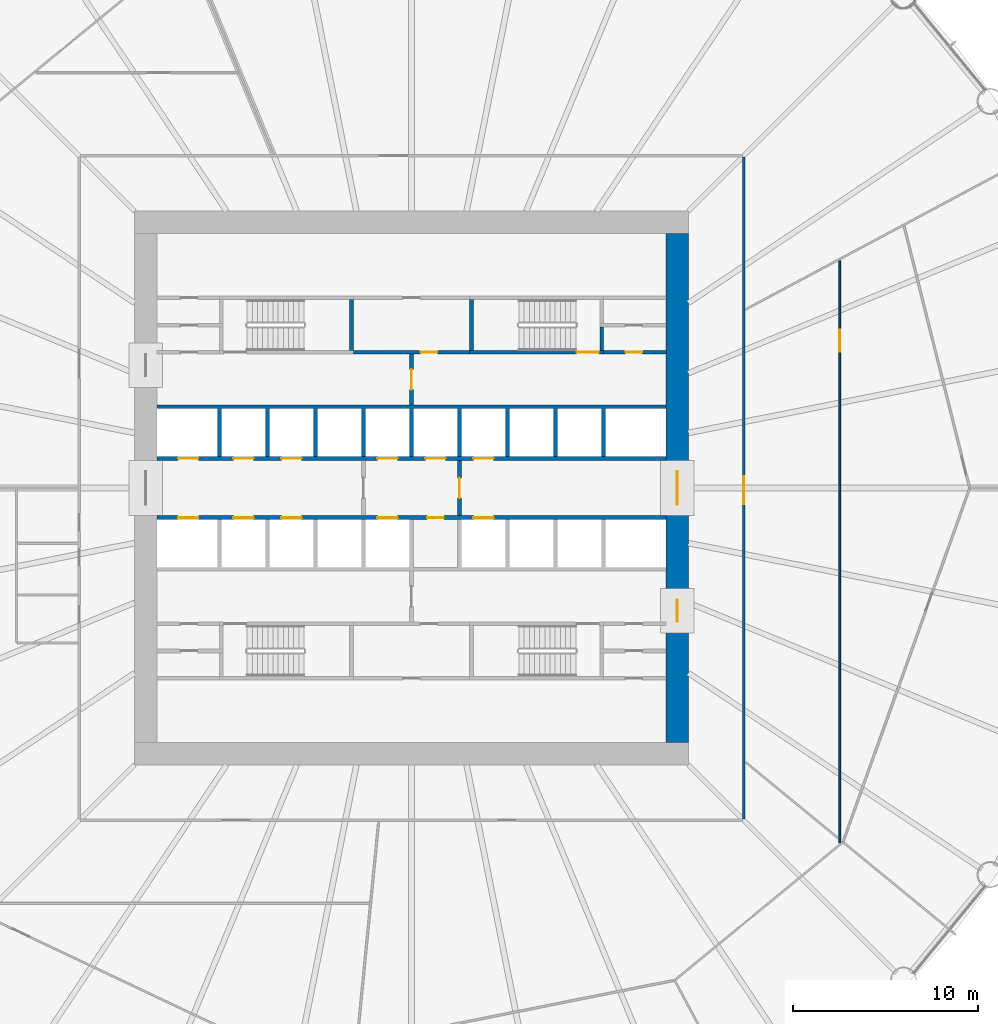
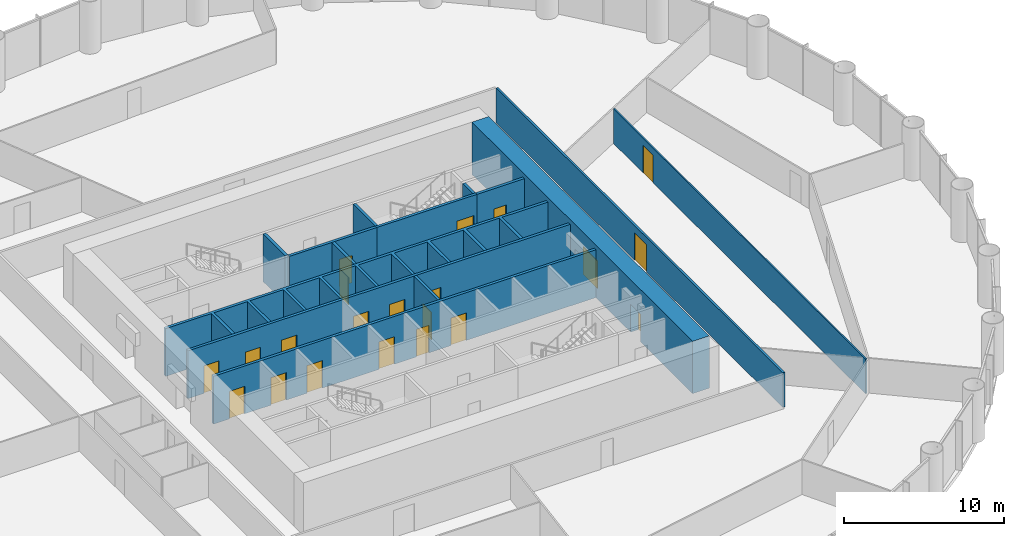
# One storey, part 12 of 14: 21 doors, 14 walls, 21 openings.
"""IFC4 building model written with IfcOpenShell, lengths in metres."""

from ifc_helpers import new_model, si_unit, direction, frame, frame_2d, origin, place, context, subcontext, project, spatial, polyline, rectangle, outline, extrude, material, layer, layer_set, type_object, element, fill, save


model = new_model("IFC4")

# Units and contexts
model_context = context("Model", 3, precision=1e-05, world=origin(), true_north=direction((0.0, 1.0)))
body_context = subcontext(model_context, "Body", "Model", "MODEL_VIEW")
ifc_project = project(units=[si_unit("LENGTHUNIT", "METRE"), si_unit("AREAUNIT", "SQUARE_METRE"), si_unit("VOLUMEUNIT", "CUBIC_METRE"), si_unit("PLANEANGLEUNIT", "RADIAN"), si_unit("MASSUNIT", "GRAM", prefix="KILO")], contexts=[model_context])

# Site, building, storey
site_placement = place(None, origin())
site = spatial("IfcSite", under=ifc_project, at=site_placement, CompositionType="ELEMENT")
building_placement = place(site_placement, origin())
building = spatial("IfcBuilding", under=site, at=building_placement, Name="Corvane Civic Tower", CompositionType="ELEMENT")
storey_placement = place(building_placement, frame((0.0, 0.0, 81.0)))
storey = spatial("IfcBuildingStorey", under=building, at=storey_placement, Name="L18", CompositionType="ELEMENT", Elevation=81.0)

# Wall, openings, doors
ifc_material_1 = material(Name="Concrete C80/95", Category="concrete")
ifc_layer_1 = layer(ifc_material_1, 1.199951171875)
ifc_layer_set_1 = layer_set([ifc_layer_1], Name="Concrete C80/95")
wall_type_1 = type_object("IfcWallType", Name="CORE WALL 1200 C80/95", PredefinedType="SHEAR", material=ifc_layer_set_1)
wall_1_placement = place(storey_placement, frame((14.39990234375, -13.800048828125, 0.0), z_axis=(0.0, 0.0, 1.0), x_axis=(0.0, 1.0, 0.0)))
wall_1 = element("IfcWall", 1, at=wall_1_placement, inside=storey, type_object=wall_type_1, Name="W-L18-core-E", PredefinedType="SHEAR", context=body_context, shape_type="SweptSolid", body=[
    extrude(rectangle(XDim=27.60009765625, YDim=1.199951171875, at=frame_2d((13.800048828125, 0.0))), origin(), (0.0, 0.0, 1.0), 4.0),
])
opening_1_placement = place(wall_1_placement, frame((12.89990234375, 0.0, 0.0)))
opening_1 = element("IfcOpeningElement", 2, at=opening_1_placement, cuts=wall_1, Name="Opening L18.C25", PredefinedType="OPENING", context=body_context, shape_type="SweptSolid", body=[
    extrude(rectangle(XDim=1.800048828125, YDim=2.10009765625, at=frame_2d((0.89990234375, 1.050048828125))), frame((0.0, 0.60986328125, 0.0), z_axis=(0.0, -1.0, 0.0), x_axis=(1.0, 0.0, 0.0)), (0.0, 0.0, 1.0), 1.219970703125),
])
opening_2_placement = place(wall_1_placement, frame((6.550048828125, 0.0, 0.0)))
opening_2 = element("IfcOpeningElement", 3, at=opening_2_placement, cuts=wall_1, Name="Opening L18.C27", PredefinedType="OPENING", context=body_context, shape_type="SweptSolid", body=[
    extrude(rectangle(XDim=1.199951171875, YDim=2.10009765625, at=frame_2d((0.60009765625, 1.050048828125))), frame((0.0, 0.60986328125, 0.0), z_axis=(0.0, -1.0, 0.0), x_axis=(1.0, 0.0, 0.0)), (0.0, 0.0, 1.0), 1.219970703125),
])
ifc_material_2 = material(Name="Steel fire door leaf", Category="steel")
door_type_1 = type_object("IfcDoorType", Name="CR-DOOR-CORE-1800", OperationType="DOUBLE_DOOR_SINGLE_SWING", PredefinedType="DOOR", material=ifc_material_2)
door_1_placement = place(opening_1_placement, origin())
door_1 = element("IfcDoor", 4, at=door_1_placement, inside=storey, type_object=door_type_1, Name="L18 door", OperationType="DOUBLE_DOOR_SINGLE_SWING", OverallHeight=2.10009765625, OverallWidth=1.800048828125, PredefinedType="DOOR", context=body_context, shape_type="SweptSolid", body=[
    extrude(rectangle(XDim=1.800048828125, YDim=2.10009765625, at=frame_2d((0.89990234375, 1.050048828125))), frame((0.0, 0.02490234375, 0.0), z_axis=(0.0, -1.0, 0.0), x_axis=(1.0, 0.0, 0.0)), (0.0, 0.0, 1.0), 0.050048828125),
])
fill(opening_1, door_1)
door_2_placement = place(opening_2_placement, origin())
door_2 = element("IfcDoor", 5, at=door_2_placement, inside=storey, type_object=door_type_1, Name="L18 door", OperationType="DOUBLE_DOOR_SINGLE_SWING", OverallHeight=2.10009765625, OverallWidth=1.199951171875, PredefinedType="DOOR", context=body_context, shape_type="SweptSolid", body=[
    extrude(rectangle(XDim=1.199951171875, YDim=2.10009765625, at=frame_2d((0.60009765625, 1.050048828125))), frame((0.0, 0.02490234375, 0.0), z_axis=(0.0, -1.0, 0.0), x_axis=(1.0, 0.0, 0.0)), (0.0, 0.0, 1.0), 0.050048828125),
])
fill(opening_2, door_2)

ifc_material_3 = material(Name="Concrete C30/37", Category="concrete")
ifc_layer_2 = layer(ifc_material_3, 0.199951171875)
ifc_layer_set_2 = layer_set([ifc_layer_2], Name="Concrete C30/37")
wall_type_2 = type_object("IfcWallType", Name="CR-WALL-200", PredefinedType="PARTITIONING", material=ifc_layer_set_2)
wall_2_placement = place(storey_placement, frame((-13.800048828125, -1.60009765625, 0.0), z_axis=(0.0, 0.0, 1.0), x_axis=(1.0, 0.0, 0.0)))
wall_2 = element("IfcWall", 6, at=wall_2_placement, inside=storey, type_object=wall_type_2, Name="L18 lift shaft wall", PredefinedType="PARTITIONING", context=body_context, shape_type="SweptSolid", body=[
    extrude(rectangle(XDim=27.60009765625, YDim=0.199951171875, at=frame_2d((13.800048828125, 0.0))), origin(), (0.0, 0.0, 1.0), 3.64990234375),
])
opening_3_placement = place(wall_2_placement, frame((1.14990234375, 0.0, 0.0)))
opening_3 = element("IfcOpeningElement", 7, at=opening_3_placement, cuts=wall_2, Name="Opening LD", PredefinedType="OPENING", context=body_context, shape_type="SweptSolid", body=[
    extrude(rectangle(XDim=1.10009765625, YDim=2.10009765625, at=frame_2d((0.550048828125, 1.050048828125))), frame((0.0, 0.10986328125, 0.0), z_axis=(0.0, -1.0, 0.0), x_axis=(1.0, 0.0, 0.0)), (0.0, 0.0, 1.0), 0.219970703125),
])
opening_4_placement = place(wall_2_placement, frame((4.14990234375, 0.0, 0.0)))
opening_4 = element("IfcOpeningElement", 8, at=opening_4_placement, cuts=wall_2, Name="Opening LD", PredefinedType="OPENING", context=body_context, shape_type="SweptSolid", body=[
    extrude(rectangle(XDim=1.10009765625, YDim=2.10009765625, at=frame_2d((0.550048828125, 1.050048828125))), frame((0.0, 0.10986328125, 0.0), z_axis=(0.0, -1.0, 0.0), x_axis=(1.0, 0.0, 0.0)), (0.0, 0.0, 1.0), 0.219970703125),
])
opening_5_placement = place(wall_2_placement, frame((6.75, 0.0, 0.0)))
opening_5 = element("IfcOpeningElement", 9, at=opening_5_placement, cuts=wall_2, Name="Opening LD", PredefinedType="OPENING", context=body_context, shape_type="SweptSolid", body=[
    extrude(rectangle(XDim=1.10009765625, YDim=2.10009765625, at=frame_2d((0.550048828125, 1.050048828125))), frame((0.0, 0.10986328125, 0.0), z_axis=(0.0, -1.0, 0.0), x_axis=(1.0, 0.0, 0.0)), (0.0, 0.0, 1.0), 0.219970703125),
])
opening_6_placement = place(wall_2_placement, frame((11.949951171875, 0.0, 0.0)))
opening_6 = element("IfcOpeningElement", 10, at=opening_6_placement, cuts=wall_2, Name="Opening LD", PredefinedType="OPENING", context=body_context, shape_type="SweptSolid", body=[
    extrude(rectangle(XDim=1.10009765625, YDim=2.10009765625, at=frame_2d((0.550048828125, 1.050048828125))), frame((0.0, 0.10986328125, 0.0), z_axis=(0.0, -1.0, 0.0), x_axis=(1.0, 0.0, 0.0)), (0.0, 0.0, 1.0), 0.219970703125),
])
opening_7_placement = place(wall_2_placement, frame((14.64990234375, 0.0, 0.0)))
opening_7 = element("IfcOpeningElement", 11, at=opening_7_placement, cuts=wall_2, Name="Opening L18.C01", PredefinedType="OPENING", context=body_context, shape_type="SweptSolid", body=[
    extrude(rectangle(XDim=0.89990234375, YDim=2.10009765625, at=frame_2d((0.449951171875, 1.050048828125))), frame((0.0, 0.10986328125, 0.0), z_axis=(0.0, -1.0, 0.0), x_axis=(1.0, 0.0, 0.0)), (0.0, 0.0, 1.0), 0.219970703125),
])
opening_8_placement = place(wall_2_placement, frame((17.14990234375, 0.0, 0.0)))
opening_8 = element("IfcOpeningElement", 12, at=opening_8_placement, cuts=wall_2, Name="Opening LD", PredefinedType="OPENING", context=body_context, shape_type="SweptSolid", body=[
    extrude(rectangle(XDim=1.10009765625, YDim=2.10009765625, at=frame_2d((0.550048828125, 1.050048828125))), frame((0.0, 0.10986328125, 0.0), z_axis=(0.0, -1.0, 0.0), x_axis=(1.0, 0.0, 0.0)), (0.0, 0.0, 1.0), 0.219970703125),
])
ifc_material_4 = material(Name="Steel fire door leaf", Category="steel")
door_type_2 = type_object("IfcDoorType", Name="CR-DOOR-900", OperationType="SINGLE_SWING_LEFT", PredefinedType="DOOR", material=ifc_material_4)
door_3_placement = place(opening_7_placement, origin())
door_3 = element("IfcDoor", 13, at=door_3_placement, inside=storey, type_object=door_type_2, Name="L18 door", OperationType="SINGLE_SWING_LEFT", OverallHeight=2.10009765625, OverallWidth=0.89990234375, PredefinedType="DOOR", context=body_context, shape_type="SweptSolid", body=[
    extrude(rectangle(XDim=0.89990234375, YDim=2.10009765625, at=frame_2d((0.449951171875, 1.050048828125))), frame((0.0, 0.02490234375, 0.0), z_axis=(0.0, -1.0, 0.0), x_axis=(1.0, 0.0, 0.0)), (0.0, 0.0, 1.0), 0.050048828125),
])
fill(opening_7, door_3)
ifc_material_5 = material(Name="Stainless steel 316 door leaves", Category="steel")
door_type_3 = type_object("IfcDoorType", Name="LD", OperationType="DOUBLE_DOOR_SLIDING", PredefinedType="DOOR", material=ifc_material_5)
door_4_placement = place(opening_3_placement, origin())
door_4 = element("IfcDoor", 14, at=door_4_placement, inside=storey, type_object=door_type_3, Name="L18 landing door", OperationType="DOUBLE_DOOR_SLIDING", OverallHeight=2.10009765625, OverallWidth=1.10009765625, PredefinedType="DOOR", context=body_context, shape_type="SweptSolid", body=[
    extrude(rectangle(XDim=1.10009765625, YDim=2.10009765625, at=frame_2d((0.550048828125, 1.050048828125))), frame((0.0, 0.02490234375, 0.0), z_axis=(0.0, -1.0, 0.0), x_axis=(1.0, 0.0, 0.0)), (0.0, 0.0, 1.0), 0.050048828125),
])
fill(opening_3, door_4)
door_5_placement = place(opening_4_placement, origin())
door_5 = element("IfcDoor", 15, at=door_5_placement, inside=storey, type_object=door_type_3, Name="L18 landing door", OperationType="DOUBLE_DOOR_SLIDING", OverallHeight=2.10009765625, OverallWidth=1.10009765625, PredefinedType="DOOR", context=body_context, shape_type="SweptSolid", body=[
    extrude(rectangle(XDim=1.10009765625, YDim=2.10009765625, at=frame_2d((0.550048828125, 1.050048828125))), frame((0.0, 0.02490234375, 0.0), z_axis=(0.0, -1.0, 0.0), x_axis=(1.0, 0.0, 0.0)), (0.0, 0.0, 1.0), 0.050048828125),
])
fill(opening_4, door_5)
door_6_placement = place(opening_5_placement, origin())
door_6 = element("IfcDoor", 16, at=door_6_placement, inside=storey, type_object=door_type_3, Name="L18 landing door", OperationType="DOUBLE_DOOR_SLIDING", OverallHeight=2.10009765625, OverallWidth=1.10009765625, PredefinedType="DOOR", context=body_context, shape_type="SweptSolid", body=[
    extrude(rectangle(XDim=1.10009765625, YDim=2.10009765625, at=frame_2d((0.550048828125, 1.050048828125))), frame((0.0, 0.02490234375, 0.0), z_axis=(0.0, -1.0, 0.0), x_axis=(1.0, 0.0, 0.0)), (0.0, 0.0, 1.0), 0.050048828125),
])
fill(opening_5, door_6)
door_7_placement = place(opening_6_placement, origin())
door_7 = element("IfcDoor", 17, at=door_7_placement, inside=storey, type_object=door_type_3, Name="L18 landing door", OperationType="DOUBLE_DOOR_SLIDING", OverallHeight=2.10009765625, OverallWidth=1.10009765625, PredefinedType="DOOR", context=body_context, shape_type="SweptSolid", body=[
    extrude(rectangle(XDim=1.10009765625, YDim=2.10009765625, at=frame_2d((0.550048828125, 1.050048828125))), frame((0.0, 0.02490234375, 0.0), z_axis=(0.0, -1.0, 0.0), x_axis=(1.0, 0.0, 0.0)), (0.0, 0.0, 1.0), 0.050048828125),
])
fill(opening_6, door_7)
door_8_placement = place(opening_8_placement, origin())
door_8 = element("IfcDoor", 18, at=door_8_placement, inside=storey, type_object=door_type_3, Name="L18 landing door", OperationType="DOUBLE_DOOR_SLIDING", OverallHeight=2.10009765625, OverallWidth=1.10009765625, PredefinedType="DOOR", context=body_context, shape_type="SweptSolid", body=[
    extrude(rectangle(XDim=1.10009765625, YDim=2.10009765625, at=frame_2d((0.550048828125, 1.050048828125))), frame((0.0, 0.02490234375, 0.0), z_axis=(0.0, -1.0, 0.0), x_axis=(1.0, 0.0, 0.0)), (0.0, 0.0, 1.0), 0.050048828125),
])
fill(opening_8, door_8)

wall_3_placement = place(storey_placement, frame((-13.800048828125, 1.60009765625, 0.0), z_axis=(0.0, 0.0, 1.0), x_axis=(1.0, 0.0, 0.0)))
wall_3 = element("IfcWall", 19, at=wall_3_placement, inside=storey, type_object=wall_type_2, Name="L18 lift shaft wall", PredefinedType="PARTITIONING", context=body_context, shape_type="SweptSolid", body=[
    extrude(rectangle(XDim=27.60009765625, YDim=0.199951171875, at=frame_2d((13.800048828125, 0.0))), origin(), (0.0, 0.0, 1.0), 3.64990234375),
])
opening_9_placement = place(wall_3_placement, frame((1.14990234375, 0.0, 0.0)))
opening_9 = element("IfcOpeningElement", 20, at=opening_9_placement, cuts=wall_3, Name="Opening LD", PredefinedType="OPENING", context=body_context, shape_type="SweptSolid", body=[
    extrude(rectangle(XDim=1.10009765625, YDim=2.10009765625, at=frame_2d((0.550048828125, 1.050048828125))), frame((0.0, 0.10986328125, 0.0), z_axis=(0.0, -1.0, 0.0), x_axis=(1.0, 0.0, 0.0)), (0.0, 0.0, 1.0), 0.219970703125),
])
opening_10_placement = place(wall_3_placement, frame((4.14990234375, 0.0, 0.0)))
opening_10 = element("IfcOpeningElement", 21, at=opening_10_placement, cuts=wall_3, Name="Opening LD", PredefinedType="OPENING", context=body_context, shape_type="SweptSolid", body=[
    extrude(rectangle(XDim=1.10009765625, YDim=2.10009765625, at=frame_2d((0.550048828125, 1.050048828125))), frame((0.0, 0.10986328125, 0.0), z_axis=(0.0, -1.0, 0.0), x_axis=(1.0, 0.0, 0.0)), (0.0, 0.0, 1.0), 0.219970703125),
])
opening_11_placement = place(wall_3_placement, frame((6.75, 0.0, 0.0)))
opening_11 = element("IfcOpeningElement", 22, at=opening_11_placement, cuts=wall_3, Name="Opening LD", PredefinedType="OPENING", context=body_context, shape_type="SweptSolid", body=[
    extrude(rectangle(XDim=1.10009765625, YDim=2.10009765625, at=frame_2d((0.550048828125, 1.050048828125))), frame((0.0, 0.10986328125, 0.0), z_axis=(0.0, -1.0, 0.0), x_axis=(1.0, 0.0, 0.0)), (0.0, 0.0, 1.0), 0.219970703125),
])
opening_12_placement = place(wall_3_placement, frame((11.949951171875, 0.0, 0.0)))
opening_12 = element("IfcOpeningElement", 23, at=opening_12_placement, cuts=wall_3, Name="Opening LD", PredefinedType="OPENING", context=body_context, shape_type="SweptSolid", body=[
    extrude(rectangle(XDim=1.10009765625, YDim=2.10009765625, at=frame_2d((0.550048828125, 1.050048828125))), frame((0.0, 0.10986328125, 0.0), z_axis=(0.0, -1.0, 0.0), x_axis=(1.0, 0.0, 0.0)), (0.0, 0.0, 1.0), 0.219970703125),
])
opening_13_placement = place(wall_3_placement, frame((14.550048828125, 0.0, 0.0)))
opening_13 = element("IfcOpeningElement", 24, at=opening_13_placement, cuts=wall_3, Name="Opening LD", PredefinedType="OPENING", context=body_context, shape_type="SweptSolid", body=[
    extrude(rectangle(XDim=1.10009765625, YDim=2.10009765625, at=frame_2d((0.550048828125, 1.050048828125))), frame((0.0, 0.10986328125, 0.0), z_axis=(0.0, -1.0, 0.0), x_axis=(1.0, 0.0, 0.0)), (0.0, 0.0, 1.0), 0.219970703125),
])
opening_14_placement = place(wall_3_placement, frame((17.14990234375, 0.0, 0.0)))
opening_14 = element("IfcOpeningElement", 25, at=opening_14_placement, cuts=wall_3, Name="Opening LD", PredefinedType="OPENING", context=body_context, shape_type="SweptSolid", body=[
    extrude(rectangle(XDim=1.10009765625, YDim=2.10009765625, at=frame_2d((0.550048828125, 1.050048828125))), frame((0.0, 0.10986328125, 0.0), z_axis=(0.0, -1.0, 0.0), x_axis=(1.0, 0.0, 0.0)), (0.0, 0.0, 1.0), 0.219970703125),
])
door_9_placement = place(opening_9_placement, origin())
door_9 = element("IfcDoor", 26, at=door_9_placement, inside=storey, type_object=door_type_3, Name="L18 landing door", OperationType="DOUBLE_DOOR_SLIDING", OverallHeight=2.10009765625, OverallWidth=1.10009765625, PredefinedType="DOOR", context=body_context, shape_type="SweptSolid", body=[
    extrude(rectangle(XDim=1.10009765625, YDim=2.10009765625, at=frame_2d((0.550048828125, 1.050048828125))), frame((0.0, 0.02490234375, 0.0), z_axis=(0.0, -1.0, 0.0), x_axis=(1.0, 0.0, 0.0)), (0.0, 0.0, 1.0), 0.050048828125),
])
fill(opening_9, door_9)
door_10_placement = place(opening_10_placement, origin())
door_10 = element("IfcDoor", 27, at=door_10_placement, inside=storey, type_object=door_type_3, Name="L18 landing door", OperationType="DOUBLE_DOOR_SLIDING", OverallHeight=2.10009765625, OverallWidth=1.10009765625, PredefinedType="DOOR", context=body_context, shape_type="SweptSolid", body=[
    extrude(rectangle(XDim=1.10009765625, YDim=2.10009765625, at=frame_2d((0.550048828125, 1.050048828125))), frame((0.0, 0.02490234375, 0.0), z_axis=(0.0, -1.0, 0.0), x_axis=(1.0, 0.0, 0.0)), (0.0, 0.0, 1.0), 0.050048828125),
])
fill(opening_10, door_10)
door_11_placement = place(opening_11_placement, origin())
door_11 = element("IfcDoor", 28, at=door_11_placement, inside=storey, type_object=door_type_3, Name="L18 landing door", OperationType="DOUBLE_DOOR_SLIDING", OverallHeight=2.10009765625, OverallWidth=1.10009765625, PredefinedType="DOOR", context=body_context, shape_type="SweptSolid", body=[
    extrude(rectangle(XDim=1.10009765625, YDim=2.10009765625, at=frame_2d((0.550048828125, 1.050048828125))), frame((0.0, 0.02490234375, 0.0), z_axis=(0.0, -1.0, 0.0), x_axis=(1.0, 0.0, 0.0)), (0.0, 0.0, 1.0), 0.050048828125),
])
fill(opening_11, door_11)
door_12_placement = place(opening_12_placement, origin())
door_12 = element("IfcDoor", 29, at=door_12_placement, inside=storey, type_object=door_type_3, Name="L18 landing door", OperationType="DOUBLE_DOOR_SLIDING", OverallHeight=2.10009765625, OverallWidth=1.10009765625, PredefinedType="DOOR", context=body_context, shape_type="SweptSolid", body=[
    extrude(rectangle(XDim=1.10009765625, YDim=2.10009765625, at=frame_2d((0.550048828125, 1.050048828125))), frame((0.0, 0.02490234375, 0.0), z_axis=(0.0, -1.0, 0.0), x_axis=(1.0, 0.0, 0.0)), (0.0, 0.0, 1.0), 0.050048828125),
])
fill(opening_12, door_12)
door_13_placement = place(opening_13_placement, origin())
door_13 = element("IfcDoor", 30, at=door_13_placement, inside=storey, type_object=door_type_3, Name="L18 landing door", OperationType="DOUBLE_DOOR_SLIDING", OverallHeight=2.10009765625, OverallWidth=1.10009765625, PredefinedType="DOOR", context=body_context, shape_type="SweptSolid", body=[
    extrude(rectangle(XDim=1.10009765625, YDim=2.10009765625, at=frame_2d((0.550048828125, 1.050048828125))), frame((0.0, 0.02490234375, 0.0), z_axis=(0.0, -1.0, 0.0), x_axis=(1.0, 0.0, 0.0)), (0.0, 0.0, 1.0), 0.050048828125),
])
fill(opening_13, door_13)
door_14_placement = place(opening_14_placement, origin())
door_14 = element("IfcDoor", 31, at=door_14_placement, inside=storey, type_object=door_type_3, Name="L18 landing door", OperationType="DOUBLE_DOOR_SLIDING", OverallHeight=2.10009765625, OverallWidth=1.10009765625, PredefinedType="DOOR", context=body_context, shape_type="SweptSolid", body=[
    extrude(rectangle(XDim=1.10009765625, YDim=2.10009765625, at=frame_2d((0.550048828125, 1.050048828125))), frame((0.0, 0.02490234375, 0.0), z_axis=(0.0, -1.0, 0.0), x_axis=(1.0, 0.0, 0.0)), (0.0, 0.0, 1.0), 0.050048828125),
])
fill(opening_14, door_14)

# Wall, opening, door
wall_4_placement = place(storey_placement, frame((-3.14990234375, 7.35009765625, 0.0), z_axis=(0.0, 0.0, 1.0), x_axis=(1.0, 0.0, 0.0)))
wall_4 = element("IfcWall", 32, at=wall_4_placement, inside=storey, type_object=wall_type_2, Name="L18 partition wall", PredefinedType="PARTITIONING", context=body_context, shape_type="SweptSolid", body=[
    extrude(rectangle(XDim=6.2998046875, YDim=0.199951171875, at=frame_2d((3.14990234375, 0.0))), origin(), (0.0, 0.0, 1.0), 3.64990234375),
])
opening_15_placement = place(wall_4_placement, frame((3.64990234375, 0.0, 0.0)))
opening_15 = element("IfcOpeningElement", 33, at=opening_15_placement, cuts=wall_4, Name="Opening L18.C02", PredefinedType="OPENING", context=body_context, shape_type="SweptSolid", body=[
    extrude(rectangle(XDim=0.89990234375, YDim=2.10009765625, at=frame_2d((0.449951171875, 1.050048828125))), frame((0.0, 0.10986328125, 0.0), z_axis=(0.0, -1.0, 0.0), x_axis=(1.0, 0.0, 0.0)), (0.0, 0.0, 1.0), 0.219970703125),
])
door_15_placement = place(opening_15_placement, origin())
door_15 = element("IfcDoor", 34, at=door_15_placement, inside=storey, type_object=door_type_2, Name="L18 door", OperationType="SINGLE_SWING_LEFT", OverallHeight=2.10009765625, OverallWidth=0.89990234375, PredefinedType="DOOR", context=body_context, shape_type="SweptSolid", body=[
    extrude(rectangle(XDim=0.89990234375, YDim=2.10009765625, at=frame_2d((0.449951171875, 1.050048828125))), frame((0.0, 0.02490234375, 0.0), z_axis=(0.0, -1.0, 0.0), x_axis=(1.0, 0.0, 0.0)), (0.0, 0.0, 1.0), 0.050048828125),
])
fill(opening_15, door_15)

wall_5_placement = place(storey_placement, frame((10.39990234375, 7.35009765625, 0.0), z_axis=(0.0, 0.0, 1.0), x_axis=(1.0, 0.0, 0.0)))
wall_5 = element("IfcWall", 35, at=wall_5_placement, inside=storey, type_object=wall_type_2, Name="L18 core partition wall", PredefinedType="PARTITIONING", context=body_context, shape_type="SweptSolid", body=[
    extrude(rectangle(XDim=3.400146484375, YDim=0.199951171875, at=frame_2d((1.7001953125, 0.0))), origin(), (0.0, 0.0, 1.0), 3.64990234375),
])
opening_16_placement = place(wall_5_placement, frame((1.199951171875, 0.0, 0.0)))
opening_16 = element("IfcOpeningElement", 36, at=opening_16_placement, cuts=wall_5, Name="Opening L18.C11", PredefinedType="OPENING", context=body_context, shape_type="SweptSolid", body=[
    extrude(rectangle(XDim=0.89990234375, YDim=2.10009765625, at=frame_2d((0.449951171875, 1.050048828125))), frame((0.0, 0.10986328125, 0.0), z_axis=(0.0, -1.0, 0.0), x_axis=(1.0, 0.0, 0.0)), (0.0, 0.0, 1.0), 0.219970703125),
])
door_16_placement = place(opening_16_placement, origin())
door_16 = element("IfcDoor", 37, at=door_16_placement, inside=storey, type_object=door_type_2, Name="L18 door", OperationType="SINGLE_SWING_LEFT", OverallHeight=2.10009765625, OverallWidth=0.89990234375, PredefinedType="DOOR", context=body_context, shape_type="SweptSolid", body=[
    extrude(rectangle(XDim=0.89990234375, YDim=2.10009765625, at=frame_2d((0.449951171875, 1.050048828125))), frame((0.0, 0.02490234375, 0.0), z_axis=(0.0, -1.0, 0.0), x_axis=(1.0, 0.0, 0.0)), (0.0, 0.0, 1.0), 0.050048828125),
])
fill(opening_16, door_16)

wall_6_placement = place(storey_placement, frame((0.0, 4.5, 0.0), z_axis=(0.0, 0.0, 1.0), x_axis=(0.0, 1.0, 0.0)))
wall_6 = element("IfcWall", 38, at=wall_6_placement, inside=storey, type_object=wall_type_2, Name="L18 core partition wall", PredefinedType="PARTITIONING", context=body_context, shape_type="SweptSolid", body=[
    extrude(rectangle(XDim=2.75, YDim=0.199951171875, at=frame_2d((1.375, 0.0))), origin(), (0.0, 0.0, 1.0), 3.64990234375),
])
opening_17_placement = place(wall_6_placement, frame((0.824951171875, 0.0, 0.0)))
opening_17 = element("IfcOpeningElement", 39, at=opening_17_placement, cuts=wall_6, Name="Opening L18.C22", PredefinedType="OPENING", context=body_context, shape_type="SweptSolid", body=[
    extrude(rectangle(XDim=1.10009765625, YDim=2.10009765625, at=frame_2d((0.550048828125, 1.050048828125))), frame((0.0, 0.10986328125, 0.0), z_axis=(0.0, -1.0, 0.0), x_axis=(1.0, 0.0, 0.0)), (0.0, 0.0, 1.0), 0.219970703125),
])
ifc_material_6 = material(Name="Steel fire door leaf", Category="steel")
door_type_4 = type_object("IfcDoorType", Name="CR-DOOR-FFL-1100", OperationType="SINGLE_SWING_LEFT", PredefinedType="DOOR", material=ifc_material_6)
door_17_placement = place(opening_17_placement, origin())
door_17 = element("IfcDoor", 40, at=door_17_placement, inside=storey, type_object=door_type_4, Name="L18 lobby door", OperationType="SINGLE_SWING_LEFT", OverallHeight=2.10009765625, OverallWidth=1.10009765625, PredefinedType="DOOR", context=body_context, shape_type="SweptSolid", body=[
    extrude(rectangle(XDim=1.10009765625, YDim=2.10009765625, at=frame_2d((0.550048828125, 1.050048828125))), frame((0.0, 0.02490234375, 0.0), z_axis=(0.0, -1.0, 0.0), x_axis=(1.0, 0.0, 0.0)), (0.0, 0.0, 1.0), 0.050048828125),
])
fill(opening_17, door_17)

wall_7_placement = place(storey_placement, frame((2.60009765625, -1.5, 0.0), z_axis=(0.0, 0.0, 1.0), x_axis=(0.0, 1.0, 0.0)))
wall_7 = element("IfcWall", 41, at=wall_7_placement, inside=storey, type_object=wall_type_2, Name="L18 firefighting lobby wall", PredefinedType="PARTITIONING", context=body_context, shape_type="SweptSolid", body=[
    extrude(rectangle(XDim=3.0, YDim=0.199951171875, at=frame_2d((1.5, 0.0))), origin(), (0.0, 0.0, 1.0), 3.64990234375),
])
opening_18_placement = place(wall_7_placement, frame((0.949951171875, 0.0, 0.0)))
opening_18 = element("IfcOpeningElement", 42, at=opening_18_placement, cuts=wall_7, Name="Opening L18.C21", PredefinedType="OPENING", context=body_context, shape_type="SweptSolid", body=[
    extrude(rectangle(XDim=1.10009765625, YDim=2.10009765625, at=frame_2d((0.550048828125, 1.050048828125))), frame((0.0, 0.10986328125, 0.0), z_axis=(0.0, -1.0, 0.0), x_axis=(1.0, 0.0, 0.0)), (0.0, 0.0, 1.0), 0.219970703125),
])
door_18_placement = place(opening_18_placement, origin())
door_18 = element("IfcDoor", 43, at=door_18_placement, inside=storey, type_object=door_type_4, Name="L18 lobby door", OperationType="SINGLE_SWING_LEFT", OverallHeight=2.10009765625, OverallWidth=1.10009765625, PredefinedType="DOOR", context=body_context, shape_type="SweptSolid", body=[
    extrude(rectangle(XDim=1.10009765625, YDim=2.10009765625, at=frame_2d((0.550048828125, 1.050048828125))), frame((0.0, 0.02490234375, 0.0), z_axis=(0.0, -1.0, 0.0), x_axis=(1.0, 0.0, 0.0)), (0.0, 0.0, 1.0), 0.050048828125),
])
fill(opening_18, door_18)

# Wall
wall_8_placement = place(storey_placement, origin())
element("IfcWall", 44, at=wall_8_placement, inside=storey, type_object=wall_type_2, Name="L18 core partition wall", PredefinedType="PARTITIONING", context=body_context, shape_type="SweptSolid", body=[
    extrude(outline(polyline([(-5.10009765625, 1.699951171875), (-5.300048828125, 1.699951171875), (-5.300048828125, 4.300048828125), (-7.699951171875, 4.300048828125), (-7.699951171875, 1.699951171875), (-7.89990234375, 1.699951171875), (-7.89990234375, 4.300048828125), (-10.300048828125, 4.300048828125), (-10.300048828125, 1.699951171875), (-10.5, 1.699951171875), (-10.5, 4.300048828125), (-13.800048828125, 4.300048828125), (-13.800048828125, 4.5), (13.800048828125, 4.5), (13.800048828125, 4.300048828125), (10.5, 4.300048828125), (10.5, 1.699951171875), (10.300048828125, 1.699951171875), (10.300048828125, 4.300048828125), (7.89990234375, 4.300048828125), (7.89990234375, 1.699951171875), (7.699951171875, 1.699951171875), (7.699951171875, 4.300048828125), (5.300048828125, 4.300048828125), (5.300048828125, 1.699951171875), (5.10009765625, 1.699951171875), (5.10009765625, 4.300048828125), (2.699951171875, 4.300048828125), (2.699951171875, 1.699951171875), (2.5, 1.699951171875), (2.5, 4.300048828125), (0.10009765625, 4.300048828125), (0.10009765625, 1.699951171875), (-0.10009765625, 1.699951171875), (-0.10009765625, 4.300048828125), (-2.5, 4.300048828125), (-2.5, 1.699951171875), (-2.699951171875, 1.699951171875), (-2.699951171875, 4.300048828125), (-5.10009765625, 4.300048828125), (-5.10009765625, 1.699951171875)])), origin(), (0.0, 0.0, 1.0), 3.64990234375),
])

# Wall, opening, door
ifc_material_7 = material(Name="Plasterboard")
ifc_layer_3 = layer(ifc_material_7, 0.10009765625)
ifc_layer_set_3 = layer_set([ifc_layer_3], Name="Plasterboard")
wall_type_3 = type_object("IfcWallType", Name="Partition 100 plasterboard on studs", PredefinedType="PARTITIONING", material=ifc_layer_set_3)
wall_9_placement = place(storey_placement, frame((23.199951171875, -19.223876953125, 0.0), z_axis=(0.0, 0.0, 1.0), x_axis=(0.0, 1.0, 0.0)))
wall_9 = element("IfcWall", 45, at=wall_9_placement, inside=storey, type_object=wall_type_3, Name="Partition L18.010", PredefinedType="PARTITIONING", context=body_context, shape_type="SweptSolid", body=[
    extrude(rectangle(XDim=31.541015625, YDim=0.10009765625, at=frame_2d((15.7705078125, 0.0))), origin(), (0.0, 0.0, 1.0), 2.64990234375),
])
opening_19_placement = place(wall_9_placement, frame((26.597412109375, 0.0, 0.0)))
opening_19 = element("IfcOpeningElement", 46, at=opening_19_placement, cuts=wall_9, Name="Opening L18.007", PredefinedType="OPENING", context=body_context, shape_type="SweptSolid", body=[
    extrude(rectangle(XDim=1.199951171875, YDim=2.10009765625, at=frame_2d((0.60009765625, 1.050048828125))), frame((0.0, 0.06005859375, 0.0), z_axis=(0.0, -1.0, 0.0), x_axis=(1.0, 0.0, 0.0)), (0.0, 0.0, 1.0), 0.1201171875),
])
ifc_material_8 = material(Name="Timber", Category="wood")
door_type_5 = type_object("IfcDoorType", Name="Double door 1200", OperationType="NOTDEFINED", PredefinedType="DOOR", material=ifc_material_8)
door_19_placement = place(opening_19_placement, frame((1.199951171875, 0.0, 0.0), z_axis=(0.0, 0.0, 1.0), x_axis=(-1.0, 0.0, 0.0)))
door_19 = element("IfcDoor", 47, at=door_19_placement, inside=storey, type_object=door_type_5, Name="Door L18.007", OperationType="DOUBLE_DOOR_SINGLE_SWING", OverallHeight=2.10009765625, OverallWidth=1.199951171875, PredefinedType="DOOR", context=body_context, shape_type="SweptSolid", body=[
    extrude(rectangle(XDim=1.199951171875, YDim=2.10009765625, at=frame_2d((0.60009765625, 1.050048828125))), frame((0.0, 0.02490234375, 0.0), z_axis=(0.0, -1.0, 0.0), x_axis=(1.0, 0.0, 0.0)), (0.0, 0.0, 1.0), 0.050048828125),
])
fill(opening_19, door_19)

ifc_material_9 = material(Name="Concrete C50/60", Category="concrete")
ifc_layer_4 = layer(ifc_material_9, 0.199951171875)
ifc_layer_set_4 = layer_set([ifc_layer_4], Name="Concrete C50/60")
wall_type_4 = type_object("IfcWallType", Name="ST-WALL-200", PredefinedType="SHEAR", material=ifc_layer_set_4)
wall_10_placement = place(storey_placement, frame((3.14990234375, 7.35009765625, 0.0), z_axis=(0.0, 0.0, 1.0), x_axis=(1.0, 0.0, 0.0)))
wall_10 = element("IfcWall", 48, at=wall_10_placement, inside=storey, type_object=wall_type_4, Name="L18 stair enclosure wall", PredefinedType="SHEAR", context=body_context, shape_type="SweptSolid", body=[
    extrude(rectangle(XDim=7.25, YDim=0.199951171875, at=frame_2d((3.625, 0.0))), origin(), (0.0, 0.0, 1.0), 3.64990234375),
])
opening_20_placement = place(wall_10_placement, frame((5.800048828125, 0.0, 0.0)))
opening_20 = element("IfcOpeningElement", 49, at=opening_20_placement, cuts=wall_10, Name="Opening L18.C16", PredefinedType="OPENING", context=body_context, shape_type="SweptSolid", body=[
    extrude(rectangle(XDim=1.199951171875, YDim=2.10009765625, at=frame_2d((0.60009765625, 1.050048828125))), frame((0.0, 0.10986328125, 0.0), z_axis=(0.0, -1.0, 0.0), x_axis=(1.0, 0.0, 0.0)), (0.0, 0.0, 1.0), 0.219970703125),
])
ifc_material_10 = material(Name="Steel fire door leaf", Category="steel")
door_type_6 = type_object("IfcDoorType", Name="ST-DOOR-1200", OperationType="SINGLE_SWING_RIGHT", PredefinedType="DOOR", material=ifc_material_10)
door_20_placement = place(opening_20_placement, origin())
door_20 = element("IfcDoor", 50, at=door_20_placement, inside=storey, type_object=door_type_6, Name="L18 stair door", OperationType="SINGLE_SWING_RIGHT", OverallHeight=2.10009765625, OverallWidth=1.199951171875, PredefinedType="DOOR", context=body_context, shape_type="SweptSolid", body=[
    extrude(rectangle(XDim=1.199951171875, YDim=2.10009765625, at=frame_2d((0.60009765625, 1.050048828125))), frame((0.0, 0.02490234375, 0.0), z_axis=(0.0, -1.0, 0.0), x_axis=(1.0, 0.0, 0.0)), (0.0, 0.0, 1.0), 0.050048828125),
])
fill(opening_20, door_20)

# Walls
wall_11_placement = place(storey_placement, origin())
element("IfcWall", 51, at=wall_11_placement, inside=storey, type_object=wall_type_4, Name="L18 stair enclosure wall", PredefinedType="SHEAR", context=body_context, shape_type="SweptSolid", body=[
    extrude(outline(polyline([(-3.14990234375, 7.449951171875), (-3.35009765625, 7.449951171875), (-3.35009765625, 10.199951171875), (-3.14990234375, 10.199951171875), (-3.14990234375, 7.449951171875)])), origin(), (0.0, 0.0, 1.0), 3.64990234375),
])
wall_12_placement = place(storey_placement, origin())
element("IfcWall", 52, at=wall_12_placement, inside=storey, type_object=wall_type_4, Name="L18 stair enclosure wall", PredefinedType="SHEAR", context=body_context, shape_type="SweptSolid", body=[
    extrude(outline(polyline([(3.35009765625, 7.449951171875), (3.14990234375, 7.449951171875), (3.14990234375, 10.199951171875), (3.35009765625, 10.199951171875), (3.35009765625, 7.449951171875)])), origin(), (0.0, 0.0, 1.0), 3.64990234375),
])
wall_13_placement = place(storey_placement, origin())
element("IfcWall", 53, at=wall_13_placement, inside=storey, type_object=wall_type_4, Name="L18 stair enclosure wall", PredefinedType="SHEAR", context=body_context, shape_type="SweptSolid", body=[
    extrude(outline(polyline([(10.39990234375, 8.72509765625), (10.39990234375, 7.449951171875), (10.199951171875, 7.449951171875), (10.199951171875, 8.72509765625), (10.39990234375, 8.72509765625)])), origin(), (0.0, 0.0, 1.0), 3.64990234375),
])

# Wall, opening, door
ifc_material_11 = material(Name="Plasterboard")
ifc_layer_5 = layer(ifc_material_11, 0.14990234375)
ifc_layer_set_5 = layer_set([ifc_layer_5], Name="Plasterboard")
wall_type_5 = type_object("IfcWallType", Name="Tenancy wall 150 EI 60", PredefinedType="PARTITIONING", material=ifc_layer_set_5)
wall_14_placement = place(storey_placement, frame((18.0, -17.925048828125, 0.0), z_axis=(0.0, 0.0, 1.0), x_axis=(0.0, 1.0, 0.0)))
wall_14 = element("IfcWall", 54, at=wall_14_placement, inside=storey, type_object=wall_type_5, Name="Partition L18.015", PredefinedType="PARTITIONING", context=body_context, shape_type="SweptSolid", body=[
    extrude(rectangle(XDim=35.85009765625, YDim=0.14990234375, at=frame_2d((17.925048828125, 0.0))), origin(), (0.0, 0.0, 1.0), 2.64990234375),
])
opening_21_placement = place(wall_14_placement, frame((17.0537109375, 0.0, 0.0)))
opening_21 = element("IfcOpeningElement", 55, at=opening_21_placement, cuts=wall_14, Name="Opening L18.008", PredefinedType="OPENING", context=body_context, shape_type="SweptSolid", body=[
    extrude(rectangle(XDim=1.5, YDim=2.10009765625, at=frame_2d((0.75, 1.050048828125))), frame((0.0, 0.0849609375, 0.0), z_axis=(0.0, -1.0, 0.0), x_axis=(1.0, 0.0, 0.0)), (0.0, 0.0, 1.0), 0.169921875),
])
ifc_material_12 = material(Name="Steel and timber", Category="steel")
door_type_7 = type_object("IfcDoorType", Name="Fire door FD60 double 1500", OperationType="NOTDEFINED", PredefinedType="DOOR", material=ifc_material_12)
door_21_placement = place(opening_21_placement, frame((1.5, 0.0, 0.0), z_axis=(0.0, 0.0, 1.0), x_axis=(-1.0, 0.0, 0.0)))
door_21 = element("IfcDoor", 56, at=door_21_placement, inside=storey, type_object=door_type_7, Name="Door L18.008", OperationType="DOUBLE_DOOR_SINGLE_SWING", OverallHeight=2.10009765625, OverallWidth=1.5, PredefinedType="DOOR", context=body_context, shape_type="SweptSolid", body=[
    extrude(rectangle(XDim=1.5, YDim=2.10009765625, at=frame_2d((0.75, 1.050048828125))), frame((0.0, 0.02490234375, 0.0), z_axis=(0.0, -1.0, 0.0), x_axis=(1.0, 0.0, 0.0)), (0.0, 0.0, 1.0), 0.050048828125),
])
fill(opening_21, door_21)

save(model, "model.ifc")
